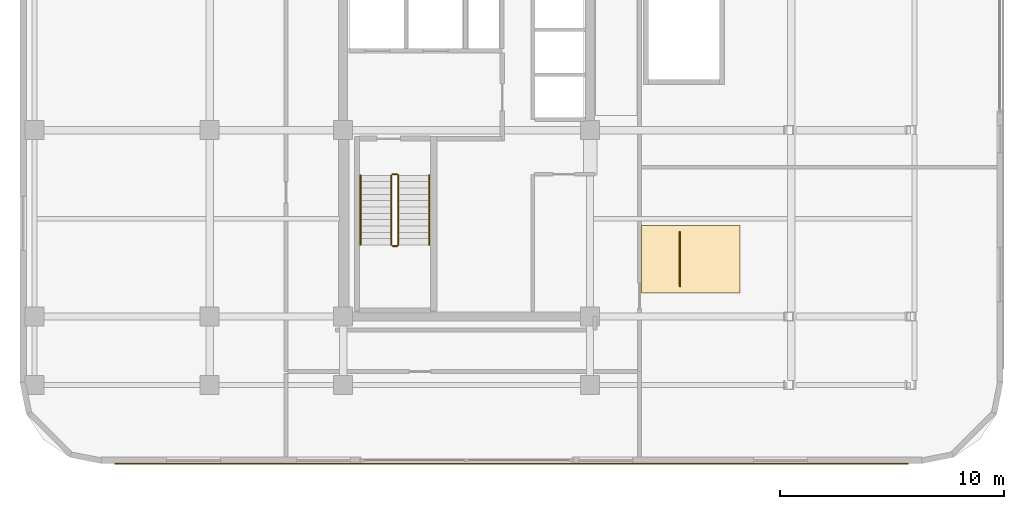
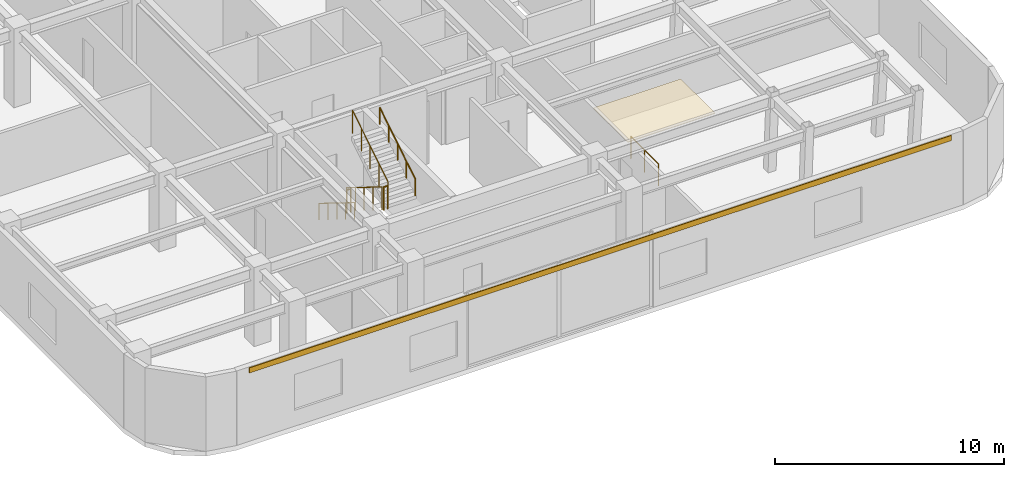
# One storey, part 9 of 12: 7 railings, 2 coverings.
"""IFC4 building model written with IfcOpenShell, lengths in metres."""

from ifc_helpers import new_model, si_unit, direction, frame, origin, origin_2d, place, context, subcontext, project, spatial, polyline, rectangle, circle, outline, extrude, material, layer, layer_set, type_object, element, save


model = new_model("IFC4")

# Units and contexts
model_context = context("Model", 3, precision=1e-05, world=origin(), true_north=direction((0.0, 1.0)))
body_context = subcontext(model_context, "Body", "Model", "MODEL_VIEW")
ifc_project = project(units=[si_unit("LENGTHUNIT", "METRE"), si_unit("AREAUNIT", "SQUARE_METRE"), si_unit("VOLUMEUNIT", "CUBIC_METRE"), si_unit("PLANEANGLEUNIT", "RADIAN"), si_unit("MASSUNIT", "GRAM", prefix="KILO")], contexts=[model_context])

# Site, building, storey
site_placement = place(None, origin())
site = spatial("IfcSite", under=ifc_project, at=site_placement, CompositionType="ELEMENT")
building_placement = place(site_placement, origin())
building = spatial("IfcBuilding", under=site, at=building_placement, Name="Ochreholt Gables", CompositionType="ELEMENT")
storey_placement = place(building_placement, frame((0.0, 0.0, 117.0)))
storey = spatial("IfcBuildingStorey", under=building, at=storey_placement, Name="L30", CompositionType="ELEMENT", Elevation=117.0)

# Coverings
ifc_material_1 = material(Name="Mineral Fibre Acoustic Ceiling Tile", Category="gypsum")
ifc_layer_1 = layer(ifc_material_1, 0.034912109375, Name="Mineral Fibre Acoustic Ceiling Tile")
ifc_layer_set_1 = layer_set([ifc_layer_1], Name="Mineral Fibre Acoustic Ceiling Tile")
covering_type_1 = type_object("IfcCoveringType", Name="COV-CEIL-AC", PredefinedType="CEILING", material=ifc_layer_set_1)
covering_1_placement = place(storey_placement, frame((0.0, 0.0, 3.080078125)))
element("IfcCovering", 1, at=covering_1_placement, inside=storey, type_object=covering_type_1, Name="L30 Suspended Acoustic Ceiling", PredefinedType="CEILING", context=body_context, shape_type="SweptSolid", body=[
    extrude(outline(polyline([(37.489990234375, 10.300048828125), (41.889892578125, 10.300048828125), (41.889892578125, 13.300048828125), (37.489990234375, 13.300048828125), (37.489990234375, 10.300048828125)])), origin(), (0.0, 0.0, 1.0), 0.034912109375),
])
ifc_material_2 = material(Name="Glazed Ochre Terracotta Rainscreen Cladding", Category="masonry")
ifc_layer_2 = layer(ifc_material_2, 0.044921875, Name="Glazed Ochre Terracotta Rainscreen Cladding")
ifc_layer_set_2 = layer_set([ifc_layer_2], Name="Glazed Ochre Terracotta Rainscreen Cladding")
covering_type_2 = type_object("IfcCoveringType", Name="COV-CLAD-TC", PredefinedType="CLADDING", material=ifc_layer_set_2)
covering_2_placement = place(storey_placement, frame((31.699951171875, 2.679931640625, 3.66015625), z_axis=(0.0, 0.0, 1.0), x_axis=(1.0, 0.0, 0.0)))
element("IfcCovering", 2, at=covering_2_placement, inside=storey, type_object=covering_type_2, Name="L30 Terracotta Spandrel Cladding South", PredefinedType="CLADDING", context=body_context, shape_type="SweptSolid", body=[
    extrude(rectangle(XDim=35.360107421875, YDim=0.044921875, at=origin_2d()), origin(), (0.0, 0.0, 1.0), 0.280029296875),
])

# Railings
ifc_material_3 = material(Name="Laminated Glass and Bronze Interior Balustrade", Category="glass")
railing_type_1 = type_object("IfcRailingType", Name="RL-INT-BAL", PredefinedType="BALUSTRADE", material=ifc_material_3)
railing_1_placement = place(storey_placement, frame((39.199951171875, 10.60009765625, 0.0)))
element("IfcRailing", 3, at=railing_1_placement, inside=storey, type_object=railing_type_1, Name="L30 Gallery Balustrade", PredefinedType="BALUSTRADE", context=body_context, shape_type="SweptSolid", body=[
    extrude(circle(Radius=0.02392578125, at=origin_2d()), frame((0.0, 0.0, 1.17578125), z_axis=(0.0, 1.0, 0.0), x_axis=(-1.0, 0.0, 0.0)), (0.0, 0.0, 1.0), 2.39990234375),
    extrude(circle(Radius=0.02099609375, at=origin_2d()), origin(), (0.0, 0.0, 1.0), 1.15185546875),
    extrude(circle(Radius=0.02099609375, at=origin_2d()), frame((0.0, 1.199951171875, 0.0)), (0.0, 0.0, 1.0), 1.15185546875),
    extrude(circle(Radius=0.02099609375, at=origin_2d()), frame((0.0, 2.39990234375, 0.0)), (0.0, 0.0, 1.0), 1.15185546875),
])
ifc_material_4 = material(Name="Painted Steel Stair Guardrail", Category="steel")
railing_type_2 = type_object("IfcRailingType", Name="RL-ST-GUARD", PredefinedType="GUARDRAIL", material=ifc_material_4)
railing_2_placement = place(storey_placement, frame((26.35009765625, 15.5400390625, 0.175048828125)))
element("IfcRailing", 4, at=railing_2_placement, inside=storey, type_object=railing_type_2, Name="L30 ST-1 stair guard 1", PredefinedType="GUARDRAIL", context=body_context, shape_type="SweptSolid", body=[
    extrude(circle(Radius=0.02392578125, at=origin_2d()), frame((0.0, 0.0, 1.22607421875), z_axis=(0.0, -0.849684591916, 0.527291280281), x_axis=(1.0, 0.0, 0.0)), (0.0, 0.0, 1.0), 3.65087890625),
    extrude(circle(Radius=0.02099609375, at=origin_2d()), origin(), (0.0, 0.0, 1.0), 1.201904296875),
    extrude(circle(Radius=0.02099609375, at=origin_2d()), frame((0.0, -0.775390625, 0.481201171875)), (0.0, 0.0, 1.0), 1.201904296875),
    extrude(circle(Radius=0.02099609375, at=origin_2d()), frame((0.0, -1.551025390625, 0.96240234375)), (0.0, 0.0, 1.0), 1.201904296875),
    extrude(circle(Radius=0.02099609375, at=origin_2d()), frame((0.0, -2.32666015625, 1.44384765625)), (0.0, 0.0, 1.0), 1.201904296875),
    extrude(circle(Radius=0.02099609375, at=origin_2d()), frame((0.0, -3.10205078125, 1.925048828125)), (0.0, 0.0, 1.0), 1.201904296875),
])
railing_3_placement = place(storey_placement, frame((26.39990234375, 12.387939453125, 2.10009765625)))
element("IfcRailing", 5, at=railing_3_placement, inside=storey, type_object=railing_type_2, Name="L30 ST-1 stair guard 2", PredefinedType="GUARDRAIL", context=body_context, shape_type="SweptSolid", body=[
    extrude(circle(Radius=0.02392578125, at=origin_2d()), frame((0.0, 0.0, 1.22607421875), z_axis=(1.0, 0.0, 0.0), x_axis=(0.0, 1.0, 0.0)), (0.0, 0.0, 1.0), 0.2001953125),
    extrude(circle(Radius=0.02099609375, at=origin_2d()), origin(), (0.0, 0.0, 1.0), 1.201904296875),
    extrude(circle(Radius=0.02099609375, at=origin_2d()), frame((0.2001953125, 0.0, 0.0)), (0.0, 0.0, 1.0), 1.201904296875),
])
railing_4_placement = place(storey_placement, frame((26.64990234375, 12.43798828125, 2.27490234375)))
element("IfcRailing", 6, at=railing_4_placement, inside=storey, type_object=railing_type_2, Name="L30 ST-1 stair guard 3", PredefinedType="GUARDRAIL", context=body_context, shape_type="SweptSolid", body=[
    extrude(circle(Radius=0.02392578125, at=origin_2d()), frame((0.0, 0.0, 1.22607421875), z_axis=(0.0, 0.849684591916, 0.527291280281), x_axis=(-1.0, 0.0, 0.0)), (0.0, 0.0, 1.0), 3.65087890625),
    extrude(circle(Radius=0.02099609375, at=origin_2d()), origin(), (0.0, 0.0, 1.0), 1.201904296875),
    extrude(circle(Radius=0.02099609375, at=origin_2d()), frame((0.0, 0.775390625, 0.481201171875)), (0.0, 0.0, 1.0), 1.201904296875),
    extrude(circle(Radius=0.02099609375, at=origin_2d()), frame((0.0, 1.551025390625, 0.96240234375)), (0.0, 0.0, 1.0), 1.201904296875),
    extrude(circle(Radius=0.02099609375, at=origin_2d()), frame((0.0, 2.32666015625, 1.44384765625)), (0.0, 0.0, 1.0), 1.201904296875),
    extrude(circle(Radius=0.02099609375, at=origin_2d()), frame((0.0, 3.10205078125, 1.925048828125)), (0.0, 0.0, 1.0), 1.201904296875),
])
railing_5_placement = place(storey_placement, frame((26.39990234375, 15.590087890625, 0.0)))
element("IfcRailing", 7, at=railing_5_placement, inside=storey, type_object=railing_type_2, Name="L30 ST-1 stair guard 4", PredefinedType="GUARDRAIL", context=body_context, shape_type="SweptSolid", body=[
    extrude(circle(Radius=0.02392578125, at=origin_2d()), frame((0.0, 0.0, 1.22607421875), z_axis=(1.0, 0.0, 0.0), x_axis=(0.0, 1.0, 0.0)), (0.0, 0.0, 1.0), 0.2001953125),
    extrude(circle(Radius=0.02099609375, at=origin_2d()), origin(), (0.0, 0.0, 1.0), 1.201904296875),
    extrude(circle(Radius=0.02099609375, at=origin_2d()), frame((0.2001953125, 0.0, 0.0)), (0.0, 0.0, 1.0), 1.201904296875),
])
ifc_material_5 = material(Name="Brushed Stainless Steel Wall Handrail", Category="steel")
railing_type_3 = type_object("IfcRailingType", Name="RL-ST-HAND", PredefinedType="HANDRAIL", material=ifc_material_5)
railing_6_placement = place(storey_placement, frame((24.969970703125, 15.5400390625, 0.175048828125)))
element("IfcRailing", 8, at=railing_6_placement, inside=storey, type_object=railing_type_3, Name="L30 ST-1 stair handrail 1", PredefinedType="HANDRAIL", context=body_context, shape_type="SweptSolid", body=[
    extrude(circle(Radius=0.02392578125, at=origin_2d()), frame((0.0, 0.0, 0.8759765625), z_axis=(0.0, -0.849684591916, 0.527291280281), x_axis=(1.0, 0.0, 0.0)), (0.0, 0.0, 1.0), 3.65087890625),
    extrude(circle(Radius=0.02099609375, at=origin_2d()), origin(), (0.0, 0.0, 1.0), 0.851806640625),
    extrude(circle(Radius=0.02099609375, at=origin_2d()), frame((0.0, -0.775390625, 0.481201171875)), (0.0, 0.0, 1.0), 0.851806640625),
    extrude(circle(Radius=0.02099609375, at=origin_2d()), frame((0.0, -1.551025390625, 0.96240234375)), (0.0, 0.0, 1.0), 0.851806640625),
    extrude(circle(Radius=0.02099609375, at=origin_2d()), frame((0.0, -2.32666015625, 1.44384765625)), (0.0, 0.0, 1.0), 0.851806640625),
    extrude(circle(Radius=0.02099609375, at=origin_2d()), frame((0.0, -3.10205078125, 1.925048828125)), (0.0, 0.0, 1.0), 0.851806640625),
])
railing_7_placement = place(storey_placement, frame((28.030029296875, 12.43798828125, 2.27490234375)))
element("IfcRailing", 9, at=railing_7_placement, inside=storey, type_object=railing_type_3, Name="L30 ST-1 stair handrail 2", PredefinedType="HANDRAIL", context=body_context, shape_type="SweptSolid", body=[
    extrude(circle(Radius=0.02392578125, at=origin_2d()), frame((0.0, 0.0, 0.8759765625), z_axis=(0.0, 0.849684591916, 0.527291280281), x_axis=(-1.0, 0.0, 0.0)), (0.0, 0.0, 1.0), 3.65087890625),
    extrude(circle(Radius=0.02099609375, at=origin_2d()), origin(), (0.0, 0.0, 1.0), 0.851806640625),
    extrude(circle(Radius=0.02099609375, at=origin_2d()), frame((0.0, 0.775390625, 0.481201171875)), (0.0, 0.0, 1.0), 0.851806640625),
    extrude(circle(Radius=0.02099609375, at=origin_2d()), frame((0.0, 1.551025390625, 0.96240234375)), (0.0, 0.0, 1.0), 0.851806640625),
    extrude(circle(Radius=0.02099609375, at=origin_2d()), frame((0.0, 2.32666015625, 1.44384765625)), (0.0, 0.0, 1.0), 0.851806640625),
    extrude(circle(Radius=0.02099609375, at=origin_2d()), frame((0.0, 3.10205078125, 1.925048828125)), (0.0, 0.0, 1.0), 0.851806640625),
])

save(model, "model.ifc")
